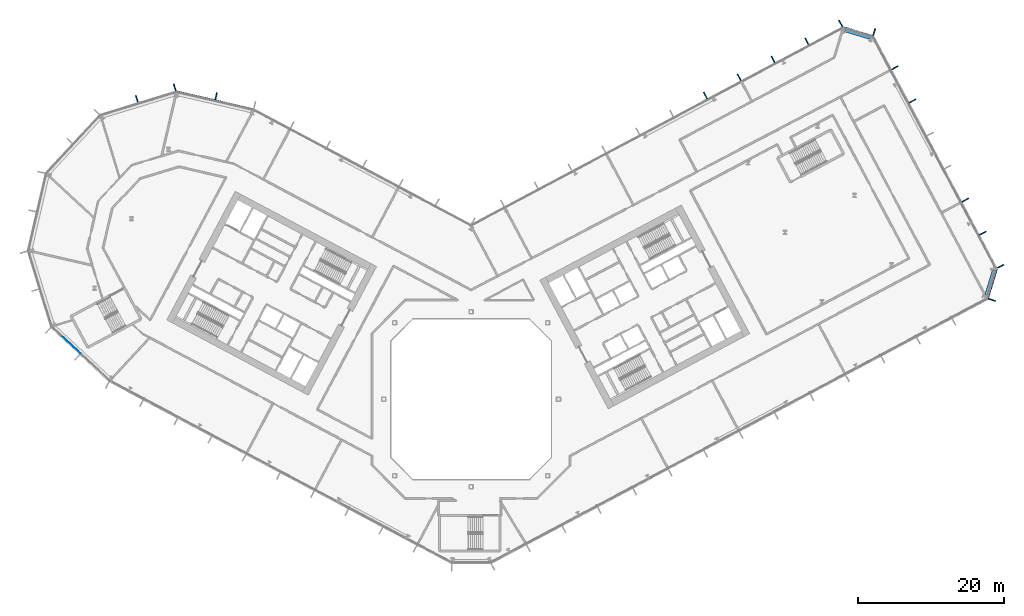
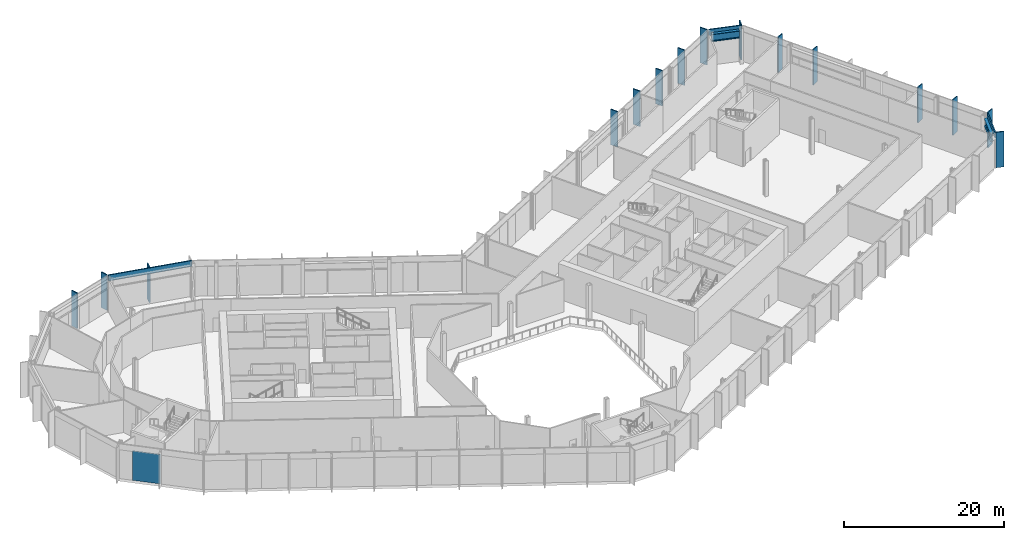
# One storey, part 8 of 32: 18 members, 2 beams, 1 plate, 7 elements without a shape of their own.
"""IFC4 building model written with IfcOpenShell, lengths in metres."""

from ifc_helpers import new_model, si_unit, direction, frame, origin, origin_2d, place, context, subcontext, project, spatial, rectangle, i_section, extrude, material, layer, layer_set, material_profile, profile_set, type_object, element, aggregate, save


model = new_model("IFC4")

# Units and contexts
model_context = context("Model", 3, precision=1e-05, world=origin(), true_north=direction((0.0, 1.0)))
body_context = subcontext(model_context, "Body", "Model", "MODEL_VIEW")
ifc_project = project(units=[si_unit("LENGTHUNIT", "METRE"), si_unit("AREAUNIT", "SQUARE_METRE"), si_unit("VOLUMEUNIT", "CUBIC_METRE"), si_unit("PLANEANGLEUNIT", "RADIAN"), si_unit("MASSUNIT", "GRAM", prefix="KILO")], contexts=[model_context])

# Site, building, storey
site_placement = place(None, origin())
site = spatial("IfcSite", under=ifc_project, at=site_placement, CompositionType="ELEMENT")
building_placement = place(site_placement, origin())
building = spatial("IfcBuilding", under=site, at=building_placement, Name="Cormorant Relay Tower", CompositionType="ELEMENT")
storey_placement = place(building_placement, frame((0.0, 0.0, 17.60009765625)))
storey = spatial("IfcBuildingStorey", under=building, at=storey_placement, Name="L03", CompositionType="ELEMENT", Elevation=17.60009765625)

# Curtain wall, member
ifc_material_1 = material(Name="Aluminium 6063-T6 anodised bronze", Category="aluminium")
ifc_layer_1 = layer(ifc_material_1, 0.235107421875)
ifc_layer_set_1 = layer_set([ifc_layer_1], Name="CW6 data hall curtain wall with mineral wool panels")
curtain_wall_type = type_object("IfcCurtainWallType", Name="CW6 data hall curtain wall with mineral wool panels", PredefinedType="NOTDEFINED", material=ifc_layer_set_1)
curtain_wall_1_placement = place(storey_placement, origin())
curtain_wall_1 = element("IfcCurtainWall", 1, at=curtain_wall_1_placement, inside=storey, type_object=curtain_wall_type, Name="CW6 curtain wall 3", PredefinedType="NOTDEFINED")
ifc_material_2 = material(Name="Aluminium 6063-T6 anodised bronze", Category="aluminium")
ifc_material_profile_1 = material_profile(ifc_material_2, rectangle(XDim=0.14990234375, YDim=1.0, at=origin_2d()), Name="AL 150x1000")
ifc_profile_set_1 = profile_set([ifc_material_profile_1], Name="Aluminium 6063-T6 anodised bronze")
member_type_1 = type_object("IfcMemberType", Name="CW6 bronze fin mullion 150 x 1000", PredefinedType="MULLION", material=ifc_profile_set_1)
member_1_placement = place(storey_placement, frame((71.485107421875, 13.63671875, 0.0), z_axis=(0.0, 0.0, 1.0), x_axis=(0.292371704723, 0.956304755963, 0.0)))
member_1 = element("IfcMember", 2, at=member_1_placement, type_object=member_type_1, Name="CW6 fin 3.1", PredefinedType="MULLION", context=body_context, shape_type="SweptSolid", body=[
    extrude(rectangle(XDim=0.14990234375, YDim=1.0, at=origin_2d()), origin(), (0.0, 0.0, 1.0), 5.39990234375),
])

# Curtain wall, members
curtain_wall_2_placement = place(storey_placement, origin())
curtain_wall_2 = element("IfcCurtainWall", 3, at=curtain_wall_2_placement, inside=storey, type_object=curtain_wall_type, Name="CW6 curtain wall 4", PredefinedType="NOTDEFINED")
member_2_placement = place(storey_placement, frame((72.671630859375, 18.25390625, 0.0), z_axis=(0.0, 0.0, 1.0), x_axis=(-0.469471562786, 0.882947592859, 0.0)))
member_2 = element("IfcMember", 4, at=member_2_placement, type_object=member_type_1, Name="CW6 fin 4.1", PredefinedType="MULLION", context=body_context, shape_type="SweptSolid", body=[
    extrude(rectangle(XDim=0.14990234375, YDim=1.0, at=origin_2d()), origin(), (0.0, 0.0, 1.0), 5.39990234375),
])
member_3_placement = place(storey_placement, frame((70.25732421875, 22.794921875, 0.0), z_axis=(0.0, 0.0, 1.0), x_axis=(-0.469471562786, 0.882947592859, 0.0)))
member_3 = element("IfcMember", 5, at=member_3_placement, type_object=member_type_1, Name="CW6 fin 4.2", PredefinedType="MULLION", context=body_context, shape_type="SweptSolid", body=[
    extrude(rectangle(XDim=0.14990234375, YDim=1.0, at=origin_2d()), origin(), (0.0, 0.0, 1.0), 5.39990234375),
])
member_4_placement = place(storey_placement, frame((67.8427734375, 27.335693359375, 0.0), z_axis=(0.0, 0.0, 1.0), x_axis=(-0.469471562786, 0.882947592859, 0.0)))
member_4 = element("IfcMember", 6, at=member_4_placement, type_object=member_type_1, Name="CW6 fin 4.3", PredefinedType="MULLION", context=body_context, shape_type="SweptSolid", body=[
    extrude(rectangle(XDim=0.14990234375, YDim=1.0, at=origin_2d()), origin(), (0.0, 0.0, 1.0), 5.39990234375),
])
member_5_placement = place(storey_placement, frame((60.599609375, 40.958251953125, 0.0), z_axis=(0.0, 0.0, 1.0), x_axis=(-0.469471562786, 0.882947592859, 0.0)))
member_5 = element("IfcMember", 7, at=member_5_placement, type_object=member_type_1, Name="CW6 fin 4.6", PredefinedType="MULLION", context=body_context, shape_type="SweptSolid", body=[
    extrude(rectangle(XDim=0.14990234375, YDim=1.0, at=origin_2d()), origin(), (0.0, 0.0, 1.0), 5.39990234375),
])
member_6_placement = place(storey_placement, frame((58.18505859375, 45.499267578125, 0.0), z_axis=(0.0, 0.0, 1.0), x_axis=(-0.469471562786, 0.882947592859, 0.0)))
member_6 = element("IfcMember", 8, at=member_6_placement, type_object=member_type_1, Name="CW6 fin 4.7", PredefinedType="MULLION", context=body_context, shape_type="SweptSolid", body=[
    extrude(rectangle(XDim=0.14990234375, YDim=1.0, at=origin_2d()), origin(), (0.0, 0.0, 1.0), 5.39990234375),
])
aggregate(curtain_wall_2, [member_2, member_3, member_4, member_5, member_6])

# Curtain wall, member
curtain_wall_3_placement = place(storey_placement, origin())
curtain_wall_3 = element("IfcCurtainWall", 9, at=curtain_wall_3_placement, inside=storey, type_object=curtain_wall_type, Name="CW6 curtain wall 5", PredefinedType="NOTDEFINED")
member_7_placement = place(storey_placement, frame((55.336669921875, 50.39794921875, 0.0), z_axis=(0.0, 0.0, 1.0), x_axis=(-0.956304755963, 0.292371704723, 0.0)))
member_7 = element("IfcMember", 10, at=member_7_placement, type_object=member_type_1, Name="CW6 fin 5.1", PredefinedType="MULLION", context=body_context, shape_type="SweptSolid", body=[
    extrude(rectangle(XDim=0.14990234375, YDim=1.0, at=origin_2d()), origin(), (0.0, 0.0, 1.0), 5.39990234375),
])

# Curtain wall, members
curtain_wall_4_placement = place(storey_placement, origin())
curtain_wall_4 = element("IfcCurtainWall", 11, at=curtain_wall_4_placement, inside=storey, type_object=curtain_wall_type, Name="CW6 curtain wall 6", PredefinedType="NOTDEFINED")
member_8_placement = place(storey_placement, frame((50.719482421875, 51.58447265625, 0.0), z_axis=(0.0, 0.0, 1.0), x_axis=(-0.882947592859, -0.469471562786, 0.0)))
member_8 = element("IfcMember", 12, at=member_8_placement, type_object=member_type_1, Name="CW6 fin 6.1", PredefinedType="MULLION", context=body_context, shape_type="SweptSolid", body=[
    extrude(rectangle(XDim=0.14990234375, YDim=1.0, at=origin_2d()), origin(), (0.0, 0.0, 1.0), 5.39990234375),
])
member_9_placement = place(storey_placement, frame((46.0771484375, 49.1162109375, 0.0), z_axis=(0.0, 0.0, 1.0), x_axis=(-0.882947592859, -0.469471562786, 0.0)))
member_9 = element("IfcMember", 13, at=member_9_placement, type_object=member_type_1, Name="CW6 fin 6.2", PredefinedType="MULLION", context=body_context, shape_type="SweptSolid", body=[
    extrude(rectangle(XDim=0.14990234375, YDim=1.0, at=origin_2d()), origin(), (0.0, 0.0, 1.0), 5.39990234375),
])
member_10_placement = place(storey_placement, frame((41.43505859375, 46.647705078125, 0.0), z_axis=(0.0, 0.0, 1.0), x_axis=(-0.882947592859, -0.469471562786, 0.0)))
member_10 = element("IfcMember", 14, at=member_10_placement, type_object=member_type_1, Name="CW6 fin 6.3", PredefinedType="MULLION", context=body_context, shape_type="SweptSolid", body=[
    extrude(rectangle(XDim=0.14990234375, YDim=1.0, at=origin_2d()), origin(), (0.0, 0.0, 1.0), 5.39990234375),
])
member_11_placement = place(storey_placement, frame((36.792724609375, 44.179443359375, 0.0), z_axis=(0.0, 0.0, 1.0), x_axis=(-0.882947592859, -0.469471562786, 0.0)))
member_11 = element("IfcMember", 15, at=member_11_placement, type_object=member_type_1, Name="CW6 fin 6.4", PredefinedType="MULLION", context=body_context, shape_type="SweptSolid", body=[
    extrude(rectangle(XDim=0.14990234375, YDim=1.0, at=origin_2d()), origin(), (0.0, 0.0, 1.0), 5.39990234375),
])
member_12_placement = place(storey_placement, frame((32.150390625, 41.711181640625, 0.0), z_axis=(0.0, 0.0, 1.0), x_axis=(-0.882947592859, -0.469471562786, 0.0)))
member_12 = element("IfcMember", 16, at=member_12_placement, type_object=member_type_1, Name="CW6 fin 6.5", PredefinedType="MULLION", context=body_context, shape_type="SweptSolid", body=[
    extrude(rectangle(XDim=0.14990234375, YDim=1.0, at=origin_2d()), origin(), (0.0, 0.0, 1.0), 5.39990234375),
])
aggregate(curtain_wall_4, [member_8, member_9, member_10, member_11, member_12])

# Curtain wall, member
curtain_wall_5_placement = place(storey_placement, origin())
curtain_wall_5 = element("IfcCurtainWall", 17, at=curtain_wall_5_placement, inside=storey, type_object=curtain_wall_type, Name="CW6 curtain wall 8", PredefinedType="NOTDEFINED")
member_13_placement = place(storey_placement, frame((-35.00439453125, 41.60693359375, 0.0), z_axis=(0.0, 0.0, 1.0), x_axis=(-0.974370064785, 0.224951054344, 0.0)))
member_13 = element("IfcMember", 18, at=member_13_placement, type_object=member_type_1, Name="CW6 fin 8.2", PredefinedType="MULLION", context=body_context, shape_type="SweptSolid", body=[
    extrude(rectangle(XDim=0.14990234375, YDim=1.0, at=origin_2d()), origin(), (0.0, 0.0, 1.0), 5.39990234375),
])

# Curtain wall, members
curtain_wall_6_placement = place(storey_placement, origin())
curtain_wall_6 = element("IfcCurtainWall", 19, at=curtain_wall_6_placement, inside=storey, type_object=curtain_wall_type, Name="CW6 curtain wall 9", PredefinedType="NOTDEFINED")
member_14_placement = place(storey_placement, frame((-40.680419921875, 42.81640625, 0.0), z_axis=(0.0, 0.0, 1.0), x_axis=(-0.956304755963, -0.292371704723, 0.0)))
member_14 = element("IfcMember", 20, at=member_14_placement, type_object=member_type_1, Name="CW6 fin 9.1", PredefinedType="MULLION", context=body_context, shape_type="SweptSolid", body=[
    extrude(rectangle(XDim=0.14990234375, YDim=1.0, at=origin_2d()), origin(), (0.0, 0.0, 1.0), 5.39990234375),
])
member_15_placement = place(storey_placement, frame((-45.878173828125, 41.227294921875, 0.0), z_axis=(0.0, 0.0, 1.0), x_axis=(-0.956304755963, -0.292371704723, 0.0)))
member_15 = element("IfcMember", 21, at=member_15_placement, type_object=member_type_1, Name="CW6 fin 9.2", PredefinedType="MULLION", context=body_context, shape_type="SweptSolid", body=[
    extrude(rectangle(XDim=0.14990234375, YDim=1.0, at=origin_2d()), origin(), (0.0, 0.0, 1.0), 5.39990234375),
])
aggregate(curtain_wall_6, [member_14, member_15])

# Member
ifc_material_3 = material(Name="Aluminium 6063-T6 anodised bronze", Category="aluminium")
ifc_material_profile_2 = material_profile(ifc_material_3, rectangle(XDim=0.159912109375, YDim=0.89990234375, at=origin_2d()), Name="AL 160x900")
ifc_profile_set_2 = profile_set([ifc_material_profile_2], Name="Aluminium 6063-T6 anodised bronze")
member_type_2 = type_object("IfcMemberType", Name="CW6 bronze transom 160 x 900", PredefinedType="USERDEFINED", material=ifc_profile_set_2)
member_16_placement = place(storey_placement, frame((70.930419921875, 13.806396484375, 4.949951171875), z_axis=(0.292391046905, 0.95629884225, 0.0), x_axis=(-0.95629884225, 0.292391046905, 0.0)))
member_16 = element("IfcMember", 22, at=member_16_placement, type_object=member_type_2, Name="CW6 transom 3", ObjectType="TRANSOM", PredefinedType="USERDEFINED", context=body_context, shape_type="SweptSolid", body=[
    extrude(rectangle(XDim=0.159912109375, YDim=0.89990234375, at=origin_2d()), origin(), (0.0, 0.0, 1.0), 4.242431640625),
])

aggregate(curtain_wall_1, [member_1, member_16])

member_17_placement = place(storey_placement, frame((55.1669921875, 49.84326171875, 4.949951171875), z_axis=(-0.95629884225, 0.292391046905, 0.0), x_axis=(-0.292391046905, -0.95629884225, 0.0)))
member_17 = element("IfcMember", 23, at=member_17_placement, type_object=member_type_2, Name="CW6 transom 5", ObjectType="TRANSOM", PredefinedType="USERDEFINED", context=body_context, shape_type="SweptSolid", body=[
    extrude(rectangle(XDim=0.159912109375, YDim=0.89990234375, at=origin_2d()), origin(), (0.0, 0.0, 1.0), 4.242431640625),
])

aggregate(curtain_wall_3, [member_7, member_17])

member_18_placement = place(storey_placement, frame((-29.8388671875, 39.819091796875, 4.949951171875), z_axis=(-0.974369993916, 0.22495136131, 0.0), x_axis=(-0.22495136131, -0.974369993916, 0.0)))
member_18 = element("IfcMember", 24, at=member_18_placement, type_object=member_type_2, Name="CW6 transom 8", ObjectType="TRANSOM", PredefinedType="USERDEFINED", context=body_context, shape_type="SweptSolid", body=[
    extrude(rectangle(XDim=0.159912109375, YDim=0.89990234375, at=origin_2d()), origin(), (0.0, 0.0, 1.0), 10.870361328125),
])

aggregate(curtain_wall_5, [member_13, member_18])

# Beams
ifc_material_4 = material(Name="Steel ASTM A992 (Fy 345 MPa)", Category="steel")
ifc_material_profile_3 = material_profile(ifc_material_4, i_section(OverallWidth=0.408935546875, OverallDepth=1.137939453125, WebThickness=0.031005859375, FlangeThickness=0.05517578125, FilletRadius=0.02001953125, at=origin_2d()), Name="W1100x607")
ifc_profile_set_3 = profile_set([ifc_material_profile_3], Name="Steel ASTM A992 (Fy 345 MPa)")
beam_type = type_object("IfcBeamType", Name="Spandrel W1100x607", PredefinedType="SPANDREL", material=ifc_profile_set_3)
beam_1_placement = place(storey_placement, frame((70.697998046875, 14.275390625, 4.380859375), z_axis=(0.292400100269, 0.956296074112, 0.0), x_axis=(-0.956296074112, 0.292400100269, 0.0)))
element("IfcBeam", 25, at=beam_1_placement, inside=storey, type_object=beam_type, Name="Spandrel beam L03-003", PredefinedType="SPANDREL", context=body_context, shape_type="SweptSolid", body=[
    extrude(i_section(OverallWidth=0.408935546875, OverallDepth=1.137939453125, WebThickness=0.031005859375, FlangeThickness=0.05517578125, FilletRadius=0.02001953125, at=origin_2d()), origin(), (0.0, 0.0, 1.0), 3.552734375),
])
beam_2_placement = place(storey_placement, frame((54.697998046875, 49.61083984375, 4.380859375), z_axis=(-0.956309414252, 0.292356467713, 0.0), x_axis=(-0.292356467713, -0.956309414252, 0.0)))
element("IfcBeam", 26, at=beam_2_placement, inside=storey, type_object=beam_type, Name="Spandrel beam L03-005", PredefinedType="SPANDREL", context=body_context, shape_type="SweptSolid", body=[
    extrude(i_section(OverallWidth=0.408935546875, OverallDepth=1.137939453125, WebThickness=0.031005859375, FlangeThickness=0.05517578125, FilletRadius=0.02001953125, at=origin_2d()), origin(), (0.0, 0.0, 1.0), 3.552490234375),
])

# Curtain wall, plate
curtain_wall_7_placement = place(storey_placement, origin())
curtain_wall_7 = element("IfcCurtainWall", 27, at=curtain_wall_7_placement, inside=storey, type_object=curtain_wall_type, Name="CW6 curtain wall 13", PredefinedType="NOTDEFINED")
ifc_material_5 = material(Name="Tinted triple-glazed laminated unit")
ifc_layer_2 = layer(ifc_material_5, 0.074951171875)
ifc_layer_set_2 = layer_set([ifc_layer_2], Name="CW6 triple-glazed vision unit 3600 module")
plate_type = type_object("IfcPlateType", Name="CW6 triple-glazed vision unit 3600 module", PredefinedType="CURTAIN_PANEL", material=ifc_layer_set_2)
plate_placement = place(storey_placement, frame((-54.96337890625, 7.54248046875, 0.0), z_axis=(0.0, 0.0, 1.0), x_axis=(0.731353701619, -0.681998360062, 0.0)))
plate = element("IfcPlate", 28, at=plate_placement, type_object=plate_type, Name="CW6 panel V01", PredefinedType="CURTAIN_PANEL", context=body_context, shape_type="SweptSolid", body=[
    extrude(rectangle(XDim=3.60009765625, YDim=0.074951171875, at=origin_2d()), origin(), (0.0, 0.0, 1.0), 4.5),
])
aggregate(curtain_wall_7, [plate])

save(model, "model.ifc")
